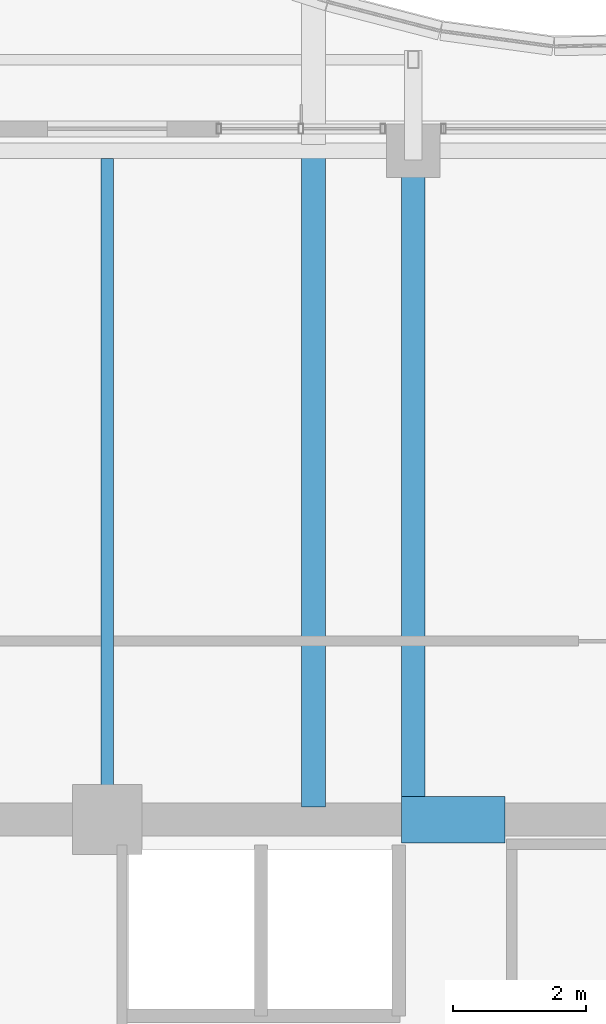
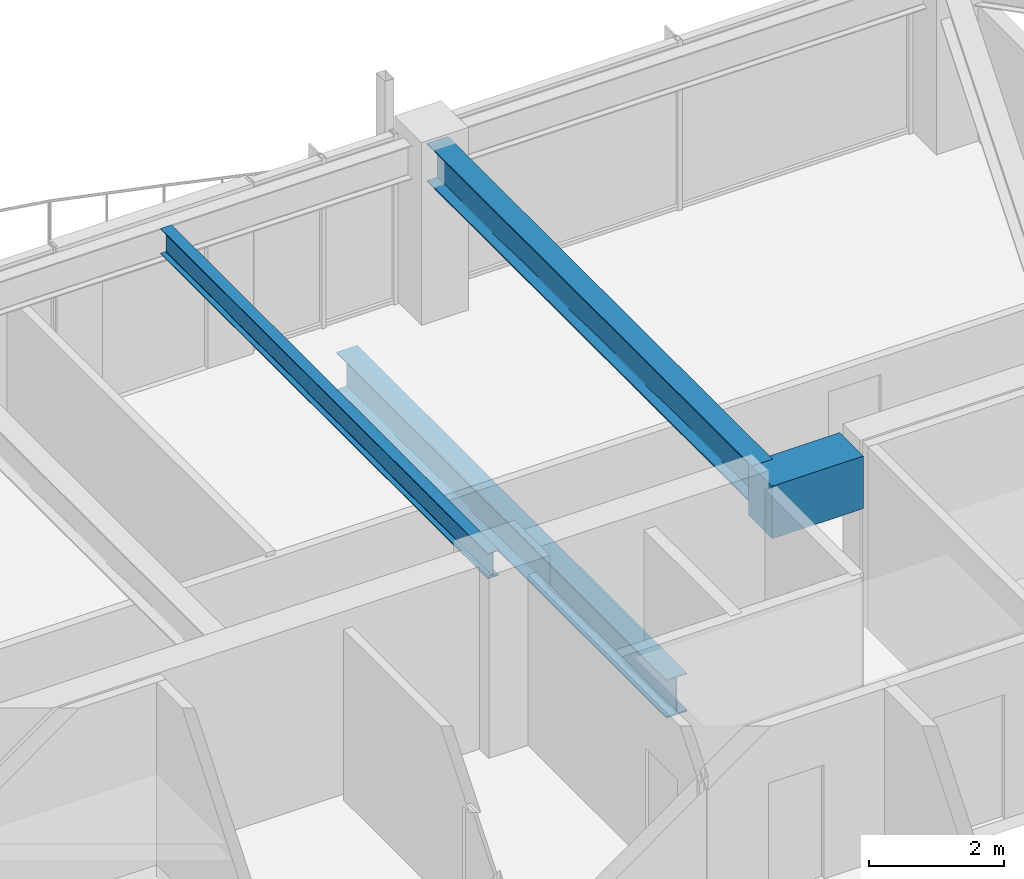
# One storey, part 20 of 38: 4 beams.
"""IFC4 building model written with IfcOpenShell, lengths in metres."""

import ifcopenshell
import ifcopenshell.guid

model = None  # the IFC model being written
_history = None  # IfcOwnerHistory: only IFC2X3 demands one
_inside = {}  # id of a spatial element -> (the spatial element, [elements in it])
_under = {}  # id of a project, library or spatial element -> (it, [spatial elements below it])
_declared = {}  # id of a project -> (the project, [libraries it declares])
_typed = {}  # id of a type object -> (the type object, [elements of that type])
_made_of = {}  # id of a material, layer set ... -> (it, [elements and type objects made of it])


def new_model(schema):
    """Start an empty IFC model of exactly this schema.

    Asked for "IFC4X3", IfcOpenShell would pick the latest addendum, in which some entities
    have other attributes; the version numbers below select the first issue.
    IFC2X3 requires an IfcOwnerHistory on every rooted entity: one is made here for all.
    """
    global model, _history
    if schema == "IFC4X3":
        model = ifcopenshell.file(schema_version=(4, 3, 0, 0))
    else:
        model = ifcopenshell.file(schema=schema)
    _inside.clear()
    _under.clear()
    _declared.clear()
    _typed.clear()
    _made_of.clear()
    _history = None
    if model.schema == "IFC2X3":
        org = make("IfcOrganization", Name="unknown")
        user = make(
            "IfcPersonAndOrganization",
            ThePerson=make("IfcPerson", FamilyName="unknown"),
            TheOrganization=org,
        )
        app = make(
            "IfcApplication",
            ApplicationDeveloper=org,
            Version="unknown",
            ApplicationFullName="unknown",
            ApplicationIdentifier="unknown",
        )
        _history = make(
            "IfcOwnerHistory",
            OwningUser=user,
            OwningApplication=app,
            ChangeAction="ADDED",
            CreationDate=0,
        )
    return model


def make(cls, **values):
    """One entity of the class cls with the attributes given. An attribute that is None is left unset."""
    return model.create_entity(
        cls, **{name: value for name, value in values.items() if value is not None}
    )


def rooted(cls, **values):
    """An entity with a GlobalId (a new one), such as an element, a storey or a relation."""
    return make(cls, GlobalId=ifcopenshell.guid.new(), OwnerHistory=_history, **values)


def si_unit(unit_type, name, prefix=None):
    """IfcSIUnit, for example si_unit("LENGTHUNIT", "METRE", prefix="MILLI")."""
    return make("IfcSIUnit", UnitType=unit_type, Prefix=prefix, Name=name)


def assignment(units):
    """IfcUnitAssignment: the units of a project."""
    return None if units is None else make("IfcUnitAssignment", Units=units)


def point(xyz):
    """IfcCartesianPoint."""
    return None if xyz is None else make("IfcCartesianPoint", Coordinates=xyz)


def direction(xyz):
    """IfcDirection."""
    return None if xyz is None else make("IfcDirection", DirectionRatios=xyz)


def frame(location, z_axis=None, x_axis=None):
    """IfcAxis2Placement3D, a coordinate frame: its origin and axes. An axis left out is left unset."""
    return make(
        "IfcAxis2Placement3D",
        Location=point(location),
        Axis=direction(z_axis),
        RefDirection=direction(x_axis),
    )


def frame_2d(location, x_axis=None):
    """IfcAxis2Placement2D, a coordinate frame in the plane: its origin and x axis."""
    return make(
        "IfcAxis2Placement2D", Location=point(location), RefDirection=direction(x_axis)
    )


def origin():
    """The frame at (0, 0, 0) with its axes left unset."""
    return frame((0.0, 0.0, 0.0))


def origin_2d():
    """The frame at (0, 0) in the plane with its x axis left unset."""
    return frame_2d((0.0, 0.0))


def place(relative_to, where):
    """IfcLocalPlacement: puts the frame where relative to a parent placement (None: the world)."""
    return make(
        "IfcLocalPlacement", PlacementRelTo=relative_to, RelativePlacement=where
    )


def context(
    kind, dimensions, precision=None, world=None, true_north=None, identifier=None
):
    """IfcGeometricRepresentationContext, for example the 3D "Model" context."""
    return make(
        "IfcGeometricRepresentationContext",
        ContextIdentifier=identifier,
        ContextType=kind,
        CoordinateSpaceDimension=dimensions,
        Precision=precision,
        WorldCoordinateSystem=world,
        TrueNorth=true_north,
    )


def subcontext(parent, identifier, kind, view, scale=None):
    """IfcGeometricRepresentationSubContext, for example "Body" below "Model"."""
    return make(
        "IfcGeometricRepresentationSubContext",
        ContextIdentifier=identifier,
        ContextType=kind,
        ParentContext=parent,
        TargetScale=scale,
        TargetView=view,
    )


def project(units=None, contexts=None):
    """IfcProject with its units and contexts."""
    return rooted(
        "IfcProject",
        Name="project",
        RepresentationContexts=contexts,
        UnitsInContext=assignment(units),
    )


def spatial(cls, under=None, at=None, **own):
    """A site, building, storey or space (cls), placed at a placement, below another one or the project."""
    s = rooted(cls, ObjectPlacement=at, **own)
    if under is not None:
        _under.setdefault(under.id(), (under, []))[1].append(s)
    return s


def profile(cls, at=None, kind="AREA", **sizes):
    """A parametric profile (cls). Its sizes go by their IFC names, for example OverallWidth=200.0."""
    return make(cls, ProfileType=kind, Position=at, **sizes)


def rectangle(**sizes):
    """IfcRectangleProfileDef."""
    return profile("IfcRectangleProfileDef", **sizes)


def i_section(**sizes):
    """IfcIShapeProfileDef."""
    return profile("IfcIShapeProfileDef", **sizes)


def extrude(swept, where, along, depth):
    """IfcExtrudedAreaSolid: the profile swept, set in the frame where, extruded along a direction by depth."""
    return make(
        "IfcExtrudedAreaSolid",
        SweptArea=swept,
        Position=where,
        ExtrudedDirection=direction(along),
        Depth=depth,
    )


def shape(context_of_items, identifier, shape_type, items):
    """IfcShapeRepresentation: the items that make up one representation, for example the "Body"."""
    return make(
        "IfcShapeRepresentation",
        ContextOfItems=context_of_items,
        RepresentationIdentifier=identifier,
        RepresentationType=shape_type,
        Items=items,
    )


def material(Name=None, Category=None):
    """IfcMaterial."""
    return make("IfcMaterial", Name=Name, Category=Category)


def material_profile(
    of_material, cross_section, Name=None, Category=None, Priority=None
):
    """IfcMaterialProfile: a cross section and its material."""
    return make(
        "IfcMaterialProfile",
        Name=Name,
        Material=of_material,
        Profile=cross_section,
        Priority=Priority,
        Category=Category,
    )


def profile_set(profiles, Name=None, composite=None):
    """IfcMaterialProfileSet."""
    return make(
        "IfcMaterialProfileSet",
        Name=Name,
        MaterialProfiles=profiles,
        CompositeProfile=composite,
    )


def made_of(thing, what):
    """Note that an element or type object is made of a material, layer set ...; save() writes the relation."""
    if what is not None:
        _made_of.setdefault(what.id(), (what, []))[1].append(thing)
    return thing


def type_object(cls, material=None, **own):
    """A type object (cls), such as IfcWallType, which elements share."""
    return made_of(rooted(cls, **own), material)


def element(
    cls,
    number,
    at=None,
    inside=None,
    cuts=None,
    type_object=None,
    material=None,
    context=None,
    identifier="Body",
    shape_type=None,
    held_by="IfcProductDefinitionShape",
    body=None,
    shapes=None,
    **own,
):
    """One element of the class cls, such as IfcWall. Its Tag is "e" and its number.

    at: its placement. inside: the storey or other place that contains it. cuts: it is an
    opening in that element (IfcRelVoidsElement). A single representation is given by context,
    identifier, shape_type and body (its items); several are given by shapes. held_by: the class
    of the entity that holds the representations. save() writes the other relations.
    """
    e = rooted(cls, Tag="e%d" % number, ObjectPlacement=at, **own)
    if body is not None:
        shapes = [shape(context, identifier, shape_type, body)]
    if shapes is not None:
        e.Representation = make(held_by, Representations=shapes)
    if inside is not None:
        _inside.setdefault(inside.id(), (inside, []))[1].append(e)
    if cuts is not None:
        rooted(
            "IfcRelVoidsElement", RelatingBuildingElement=cuts, RelatedOpeningElement=e
        )
    if type_object is not None:
        _typed.setdefault(type_object.id(), (type_object, []))[1].append(e)
    return made_of(e, material)


def aggregate(whole, parts):
    """IfcRelAggregates: a whole, such as a stair, and the parts it consists of."""
    return rooted("IfcRelAggregates", RelatingObject=whole, RelatedObjects=parts)


def save(model, path):
    """Write the relations noted so far, then the file.

    IfcRelAggregates (storeys below a building ...), IfcRelContainedInSpatialStructure (elements
    in a storey), IfcRelDefinesByType, IfcRelAssociatesMaterial and IfcRelDeclares: one each for
    every whole, place, type object, material and project.
    """
    for whole, parts in _under.values():
        aggregate(whole, parts)
    for where, things in _inside.values():
        rooted(
            "IfcRelContainedInSpatialStructure",
            RelatedElements=things,
            RelatingStructure=where,
        )
    for kind, things in _typed.values():
        rooted("IfcRelDefinesByType", RelatedObjects=things, RelatingType=kind)
    for what, things in _made_of.values():
        rooted("IfcRelAssociatesMaterial", RelatedObjects=things, RelatingMaterial=what)
    for by, libraries in _declared.values():
        rooted("IfcRelDeclares", RelatingContext=by, RelatedDefinitions=libraries)
    model.write(path)


model = new_model("IFC4")

# Units and contexts
model_context = context("Model", 3, precision=1e-05, world=origin(), true_north=direction((0.0, 1.0)))
body_context = subcontext(model_context, "Body", "Model", "MODEL_VIEW")
ifc_project = project(units=[si_unit("LENGTHUNIT", "METRE"), si_unit("AREAUNIT", "SQUARE_METRE"), si_unit("VOLUMEUNIT", "CUBIC_METRE"), si_unit("PLANEANGLEUNIT", "RADIAN"), si_unit("MASSUNIT", "GRAM", prefix="KILO")], contexts=[model_context])

# Site, building, storey
site_placement = place(None, origin())
site = spatial("IfcSite", under=ifc_project, at=site_placement, CompositionType="ELEMENT")
building_placement = place(site_placement, origin())
building = spatial("IfcBuilding", under=site, at=building_placement, Name="Kolvaren Belvedere", CompositionType="ELEMENT")
storey_placement = place(building_placement, frame((0.0, 0.0, 206.39990234375)))
storey = spatial("IfcBuildingStorey", under=building, at=storey_placement, Name="L60", CompositionType="ELEMENT", Elevation=206.39990234375)

# Beams
ifc_material_1 = material(Name="Structural steel ASTM A992 Grade 50", Category="steel")
ifc_material_profile_1 = material_profile(ifc_material_1, i_section(OverallWidth=0.35498046875, OverallDepth=0.696044921875, WebThickness=0.015380859375, FlangeThickness=0.02490234375, FilletRadius=0.02197265625, at=origin_2d()), Name="W27X146")
ifc_profile_set_1 = profile_set([ifc_material_profile_1], Name="Structural steel ASTM A992 Grade 50")
beam_type_1 = type_object("IfcBeamType", Name="BM-GIRD-W27X146", PredefinedType="BEAM", material=ifc_profile_set_1)
beam_1_placement = place(storey_placement, frame((3.10009765625, 10.090087890625, -0.56787109375), z_axis=(0.0, 1.0, 0.0), x_axis=(-1.0, 0.0, 0.0)))
element("IfcBeam", 1, at=beam_1_placement, inside=storey, type_object=beam_type_1, Name="L60 Balcony Interior Back-Span Girder BAL-N-2", PredefinedType="BEAM", context=body_context, shape_type="SweptSolid", body=[
    extrude(i_section(OverallWidth=0.35498046875, OverallDepth=0.696044921875, WebThickness=0.015380859375, FlangeThickness=0.02490234375, FilletRadius=0.02197265625, at=origin_2d()), origin(), (0.0, 0.0, 1.0), 9.764892578125),
])
beam_2_placement = place(storey_placement, frame((4.60009765625, 10.14990234375, 2.732177734375), z_axis=(0.0, 1.0, 0.0), x_axis=(-1.0, 0.0, 0.0)))
element("IfcBeam", 2, at=beam_2_placement, inside=storey, type_object=beam_type_1, Name="L60 North Radial Girder P", PredefinedType="BEAM", context=body_context, shape_type="SweptSolid", body=[
    extrude(i_section(OverallWidth=0.35498046875, OverallDepth=0.696044921875, WebThickness=0.015380859375, FlangeThickness=0.02490234375, FilletRadius=0.02197265625, at=origin_2d()), origin(), (0.0, 0.0, 1.0), 9.6201171875),
])
ifc_material_2 = material(Name="Structural steel ASTM A992 Grade 50", Category="steel")
ifc_material_profile_2 = material_profile(ifc_material_2, i_section(OverallWidth=0.19091796875, OverallDepth=0.4599609375, WebThickness=0.010009765625, FlangeThickness=0.01611328125, FilletRadius=0.014892578125, at=origin_2d()), Name="W18X55")
ifc_profile_set_2 = profile_set([ifc_material_profile_2], Name="Structural steel ASTM A992 Grade 50")
beam_type_2 = type_object("IfcBeamType", Name="BM-JOIST-W18X55", PredefinedType="BEAM", material=ifc_profile_set_2)
beam_3_placement = place(storey_placement, frame((0.0, 10.14990234375, 2.85009765625), z_axis=(0.0, 1.0, 0.0), x_axis=(-1.0, 0.0, 0.0)))
element("IfcBeam", 3, at=beam_3_placement, inside=storey, type_object=beam_type_2, Name="L60 North Centre Floor Beam", PredefinedType="BEAM", context=body_context, shape_type="SweptSolid", body=[
    extrude(i_section(OverallWidth=0.19091796875, OverallDepth=0.4599609375, WebThickness=0.010009765625, FlangeThickness=0.01611328125, FilletRadius=0.014892578125, at=origin_2d()), origin(), (0.0, 0.0, 1.0), 9.685546875),
])
ifc_material_3 = material(Name="Concrete C60/75", Category="concrete")
ifc_material_profile_3 = material_profile(ifc_material_3, rectangle(XDim=0.699951171875, YDim=0.949951171875, at=origin_2d()), Name="RC 700X950")
ifc_profile_set_3 = profile_set([ifc_material_profile_3], Name="Concrete C60/75")
beam_type_3 = type_object("IfcBeamType", Name="BM-LINT-950", PredefinedType="LINTEL", material=ifc_profile_set_3)
beam_4_placement = place(storey_placement, frame((4.419921875, 9.89990234375, 2.60498046875), z_axis=(1.0, 0.0, 0.0), x_axis=(0.0, 1.0, 0.0)))
element("IfcBeam", 4, at=beam_4_placement, inside=storey, type_object=beam_type_3, Name="L60 North Core Coupling Lintel", PredefinedType="LINTEL", context=body_context, shape_type="SweptSolid", body=[
    extrude(rectangle(XDim=0.699951171875, YDim=0.949951171875, at=origin_2d()), origin(), (0.0, 0.0, 1.0), 1.56005859375),
])

save(model, "model.ifc")
